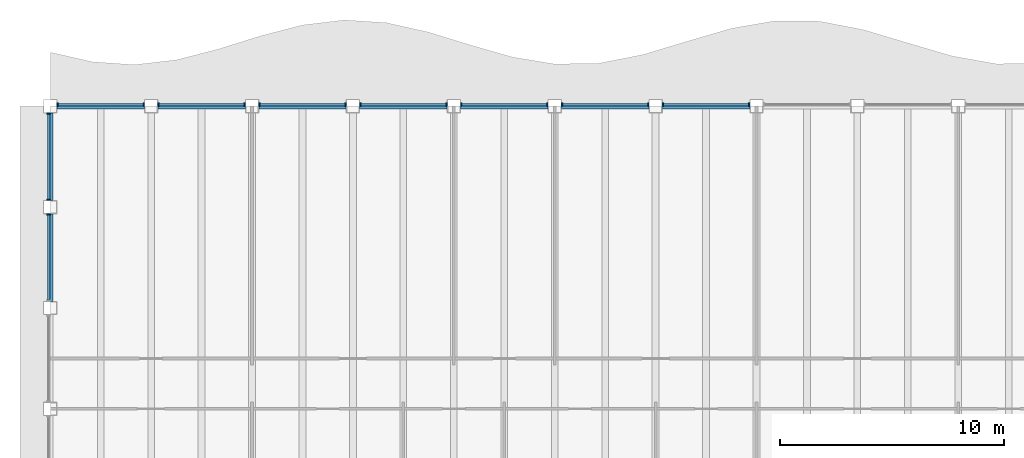
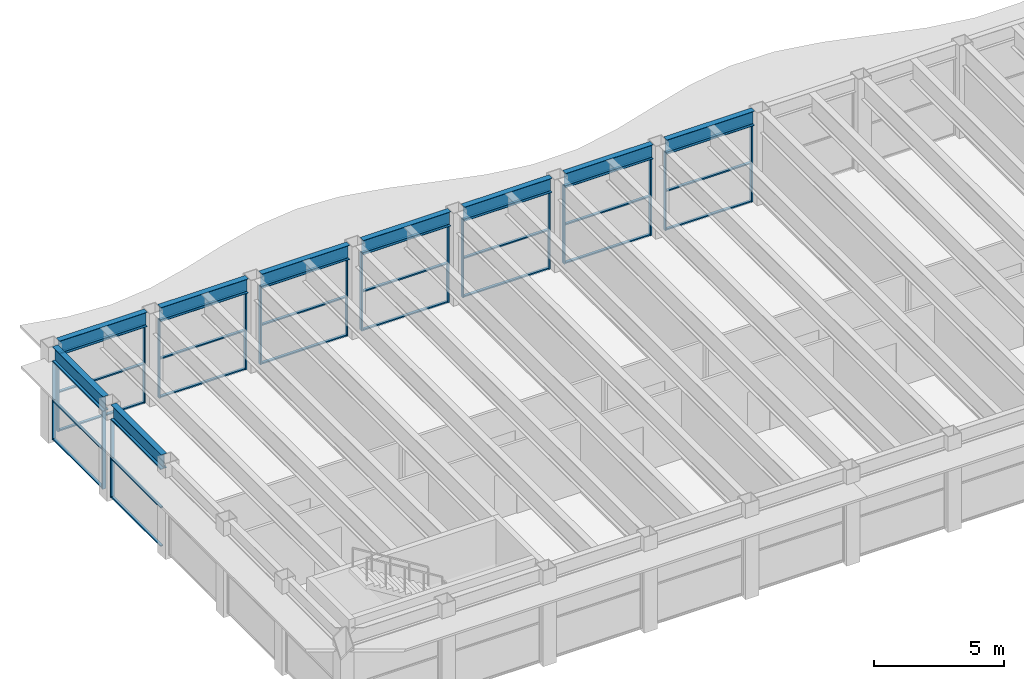
# One storey, part 4 of 14: 44 members, 9 beams, 9 elements without a shape of their own.
"""IFC4 building model written with IfcOpenShell, lengths in metres."""

from ifc_helpers import new_model, si_unit, direction, frame, origin, origin_2d, place, context, subcontext, project, spatial, rectangle, i_section, extrude, material, material_profile, profile_set, type_object, element, aggregate, save


model = new_model("IFC4")

# Units and contexts
model_context = context("Model", 3, precision=1e-05, world=origin(), true_north=direction((0.0, 1.0)))
body_context = subcontext(model_context, "Body", "Model", "MODEL_VIEW")
ifc_project = project(units=[si_unit("LENGTHUNIT", "METRE"), si_unit("AREAUNIT", "SQUARE_METRE"), si_unit("VOLUMEUNIT", "CUBIC_METRE"), si_unit("PLANEANGLEUNIT", "RADIAN"), si_unit("MASSUNIT", "GRAM", prefix="KILO")], contexts=[model_context])

# Site, building, storey
site_placement = place(None, origin())
site = spatial("IfcSite", under=ifc_project, at=site_placement, CompositionType="ELEMENT")
building_placement = place(site_placement, origin())
building = spatial("IfcBuilding", under=site, at=building_placement, Name="Sennacour Bend Tower", CompositionType="ELEMENT")
storey_placement = place(building_placement, frame((0.0, 0.0, 332.0)))
storey = spatial("IfcBuildingStorey", under=building, at=storey_placement, Name="L76", CompositionType="ELEMENT", Elevation=332.0)

# Curtain wall, members
ifc_material_1 = material(Name="Bronze anodised aluminium curtain wall with clear glass", Category="aluminium")
curtain_wall_type = type_object("IfcCurtainWallType", Name="CURTAIN WALL EXEC", PredefinedType="NOTDEFINED", material=ifc_material_1)
curtain_wall_1_placement = place(storey_placement, origin())
curtain_wall_1 = element("IfcCurtainWall", 1, at=curtain_wall_1_placement, inside=storey, type_object=curtain_wall_type, Name="Executive floor glass wall L76", PredefinedType="NOTDEFINED")
ifc_material_2 = material(Name="Aluminium 6063-T6", Category="aluminium")
ifc_material_profile_1 = material_profile(ifc_material_2, rectangle(XDim=0.14990234375, YDim=0.06005859375, at=origin_2d()), Name="Aluminium 6063-T6", Category="aluminium")
ifc_profile_set_1 = profile_set([ifc_material_profile_1], Name="Aluminium 6063-T6")
member_type_1 = type_object("IfcMemberType", Name="CW-MULLION-150X60", PredefinedType="MULLION", material=ifc_profile_set_1)
member_1_placement = place(storey_placement, frame((31.169921875, 22.574951171875, 0.0), z_axis=(0.0, 0.0, 1.0), x_axis=(0.0, -1.0, 0.0)))
member_1 = element("IfcMember", 2, at=member_1_placement, type_object=member_type_1, Name="GW3 curtain wall mullion 1", PredefinedType="MULLION", context=body_context, shape_type="SweptSolid", body=[
    extrude(rectangle(XDim=0.14990234375, YDim=0.06005859375, at=origin_2d()), origin(), (0.0, 0.0, 1.0), 3.672119140625),
])
member_2_placement = place(storey_placement, frame((27.330078125, 22.574951171875, 0.0), z_axis=(0.0, 0.0, 1.0), x_axis=(0.0, -1.0, 0.0)))
member_2 = element("IfcMember", 3, at=member_2_placement, type_object=member_type_1, Name="GW3 curtain wall mullion 2", PredefinedType="MULLION", context=body_context, shape_type="SweptSolid", body=[
    extrude(rectangle(XDim=0.14990234375, YDim=0.06005859375, at=origin_2d()), origin(), (0.0, 0.0, 1.0), 3.672119140625),
])

curtain_wall_2_placement = place(storey_placement, origin())
curtain_wall_2 = element("IfcCurtainWall", 4, at=curtain_wall_2_placement, inside=storey, type_object=curtain_wall_type, Name="Executive floor glass wall L76", PredefinedType="NOTDEFINED")
member_3_placement = place(storey_placement, frame((26.669921875, 22.574951171875, 0.0), z_axis=(0.0, 0.0, 1.0), x_axis=(0.0, -1.0, 0.0)))
member_3 = element("IfcMember", 5, at=member_3_placement, type_object=member_type_1, Name="GW3 curtain wall mullion 1", PredefinedType="MULLION", context=body_context, shape_type="SweptSolid", body=[
    extrude(rectangle(XDim=0.14990234375, YDim=0.06005859375, at=origin_2d()), origin(), (0.0, 0.0, 1.0), 3.672119140625),
])
member_4_placement = place(storey_placement, frame((22.830078125, 22.574951171875, 0.0), z_axis=(0.0, 0.0, 1.0), x_axis=(0.0, -1.0, 0.0)))
member_4 = element("IfcMember", 6, at=member_4_placement, type_object=member_type_1, Name="GW3 curtain wall mullion 2", PredefinedType="MULLION", context=body_context, shape_type="SweptSolid", body=[
    extrude(rectangle(XDim=0.14990234375, YDim=0.06005859375, at=origin_2d()), origin(), (0.0, 0.0, 1.0), 3.672119140625),
])

curtain_wall_3_placement = place(storey_placement, origin())
curtain_wall_3 = element("IfcCurtainWall", 7, at=curtain_wall_3_placement, inside=storey, type_object=curtain_wall_type, Name="Executive floor glass wall L76", PredefinedType="NOTDEFINED")
member_5_placement = place(storey_placement, frame((22.169921875, 22.574951171875, 0.0), z_axis=(0.0, 0.0, 1.0), x_axis=(0.0, -1.0, 0.0)))
member_5 = element("IfcMember", 8, at=member_5_placement, type_object=member_type_1, Name="GW3 curtain wall mullion 1", PredefinedType="MULLION", context=body_context, shape_type="SweptSolid", body=[
    extrude(rectangle(XDim=0.14990234375, YDim=0.06005859375, at=origin_2d()), origin(), (0.0, 0.0, 1.0), 3.672119140625),
])
member_6_placement = place(storey_placement, frame((18.330078125, 22.574951171875, 0.0), z_axis=(0.0, 0.0, 1.0), x_axis=(0.0, -1.0, 0.0)))
member_6 = element("IfcMember", 9, at=member_6_placement, type_object=member_type_1, Name="GW3 curtain wall mullion 2", PredefinedType="MULLION", context=body_context, shape_type="SweptSolid", body=[
    extrude(rectangle(XDim=0.14990234375, YDim=0.06005859375, at=origin_2d()), origin(), (0.0, 0.0, 1.0), 3.672119140625),
])

curtain_wall_4_placement = place(storey_placement, origin())
curtain_wall_4 = element("IfcCurtainWall", 10, at=curtain_wall_4_placement, inside=storey, type_object=curtain_wall_type, Name="Executive floor glass wall L76", PredefinedType="NOTDEFINED")
member_7_placement = place(storey_placement, frame((17.669921875, 22.574951171875, 0.0), z_axis=(0.0, 0.0, 1.0), x_axis=(0.0, -1.0, 0.0)))
member_7 = element("IfcMember", 11, at=member_7_placement, type_object=member_type_1, Name="GW3 curtain wall mullion 1", PredefinedType="MULLION", context=body_context, shape_type="SweptSolid", body=[
    extrude(rectangle(XDim=0.14990234375, YDim=0.06005859375, at=origin_2d()), origin(), (0.0, 0.0, 1.0), 3.672119140625),
])
member_8_placement = place(storey_placement, frame((13.830078125, 22.574951171875, 0.0), z_axis=(0.0, 0.0, 1.0), x_axis=(0.0, -1.0, 0.0)))
member_8 = element("IfcMember", 12, at=member_8_placement, type_object=member_type_1, Name="GW3 curtain wall mullion 2", PredefinedType="MULLION", context=body_context, shape_type="SweptSolid", body=[
    extrude(rectangle(XDim=0.14990234375, YDim=0.06005859375, at=origin_2d()), origin(), (0.0, 0.0, 1.0), 3.672119140625),
])

curtain_wall_5_placement = place(storey_placement, origin())
curtain_wall_5 = element("IfcCurtainWall", 13, at=curtain_wall_5_placement, inside=storey, type_object=curtain_wall_type, Name="Executive floor glass wall L76", PredefinedType="NOTDEFINED")
member_9_placement = place(storey_placement, frame((13.169921875, 22.574951171875, 0.0), z_axis=(0.0, 0.0, 1.0), x_axis=(0.0, -1.0, 0.0)))
member_9 = element("IfcMember", 14, at=member_9_placement, type_object=member_type_1, Name="GW3 curtain wall mullion 1", PredefinedType="MULLION", context=body_context, shape_type="SweptSolid", body=[
    extrude(rectangle(XDim=0.14990234375, YDim=0.06005859375, at=origin_2d()), origin(), (0.0, 0.0, 1.0), 3.672119140625),
])
member_10_placement = place(storey_placement, frame((9.330078125, 22.574951171875, 0.0), z_axis=(0.0, 0.0, 1.0), x_axis=(0.0, -1.0, 0.0)))
member_10 = element("IfcMember", 15, at=member_10_placement, type_object=member_type_1, Name="GW3 curtain wall mullion 2", PredefinedType="MULLION", context=body_context, shape_type="SweptSolid", body=[
    extrude(rectangle(XDim=0.14990234375, YDim=0.06005859375, at=origin_2d()), origin(), (0.0, 0.0, 1.0), 3.672119140625),
])

curtain_wall_6_placement = place(storey_placement, origin())
curtain_wall_6 = element("IfcCurtainWall", 16, at=curtain_wall_6_placement, inside=storey, type_object=curtain_wall_type, Name="Executive floor glass wall L76", PredefinedType="NOTDEFINED")
member_11_placement = place(storey_placement, frame((8.669921875, 22.574951171875, 0.0), z_axis=(0.0, 0.0, 1.0), x_axis=(0.0, -1.0, 0.0)))
member_11 = element("IfcMember", 17, at=member_11_placement, type_object=member_type_1, Name="GW3 curtain wall mullion 1", PredefinedType="MULLION", context=body_context, shape_type="SweptSolid", body=[
    extrude(rectangle(XDim=0.14990234375, YDim=0.06005859375, at=origin_2d()), origin(), (0.0, 0.0, 1.0), 3.672119140625),
])
member_12_placement = place(storey_placement, frame((4.830078125, 22.574951171875, 0.0), z_axis=(0.0, 0.0, 1.0), x_axis=(0.0, -1.0, 0.0)))
member_12 = element("IfcMember", 18, at=member_12_placement, type_object=member_type_1, Name="GW3 curtain wall mullion 2", PredefinedType="MULLION", context=body_context, shape_type="SweptSolid", body=[
    extrude(rectangle(XDim=0.14990234375, YDim=0.06005859375, at=origin_2d()), origin(), (0.0, 0.0, 1.0), 3.672119140625),
])

curtain_wall_7_placement = place(storey_placement, origin())
curtain_wall_7 = element("IfcCurtainWall", 19, at=curtain_wall_7_placement, inside=storey, type_object=curtain_wall_type, Name="Executive floor glass wall L76", PredefinedType="NOTDEFINED")
member_13_placement = place(storey_placement, frame((4.169921875, 22.574951171875, 0.0), z_axis=(0.0, 0.0, 1.0), x_axis=(0.0, -1.0, 0.0)))
member_13 = element("IfcMember", 20, at=member_13_placement, type_object=member_type_1, Name="GW3 curtain wall mullion 1", PredefinedType="MULLION", context=body_context, shape_type="SweptSolid", body=[
    extrude(rectangle(XDim=0.14990234375, YDim=0.06005859375, at=origin_2d()), origin(), (0.0, 0.0, 1.0), 3.672119140625),
])
member_14_placement = place(storey_placement, frame((0.330078125, 22.574951171875, 0.0), z_axis=(0.0, 0.0, 1.0), x_axis=(0.0, -1.0, 0.0)))
member_14 = element("IfcMember", 21, at=member_14_placement, type_object=member_type_1, Name="GW3 curtain wall mullion 2", PredefinedType="MULLION", context=body_context, shape_type="SweptSolid", body=[
    extrude(rectangle(XDim=0.14990234375, YDim=0.06005859375, at=origin_2d()), origin(), (0.0, 0.0, 1.0), 3.672119140625),
])

curtain_wall_8_placement = place(storey_placement, origin())
curtain_wall_8 = element("IfcCurtainWall", 22, at=curtain_wall_8_placement, inside=storey, type_object=curtain_wall_type, Name="Executive floor glass wall L76", PredefinedType="NOTDEFINED")
member_15_placement = place(storey_placement, frame((-0.074951171875, 22.169921875, 0.0), z_axis=(0.0, 0.0, 1.0), x_axis=(1.0, 0.0, 0.0)))
member_15 = element("IfcMember", 23, at=member_15_placement, type_object=member_type_1, Name="GW3 curtain wall mullion 1", PredefinedType="MULLION", context=body_context, shape_type="SweptSolid", body=[
    extrude(rectangle(XDim=0.14990234375, YDim=0.06005859375, at=origin_2d()), origin(), (0.0, 0.0, 1.0), 3.672119140625),
])
member_16_placement = place(storey_placement, frame((-0.074951171875, 18.330078125, 0.0), z_axis=(0.0, 0.0, 1.0), x_axis=(1.0, 0.0, 0.0)))
member_16 = element("IfcMember", 24, at=member_16_placement, type_object=member_type_1, Name="GW3 curtain wall mullion 2", PredefinedType="MULLION", context=body_context, shape_type="SweptSolid", body=[
    extrude(rectangle(XDim=0.14990234375, YDim=0.06005859375, at=origin_2d()), origin(), (0.0, 0.0, 1.0), 3.672119140625),
])

# Curtain wall, member
curtain_wall_9_placement = place(storey_placement, origin())
curtain_wall_9 = element("IfcCurtainWall", 25, at=curtain_wall_9_placement, inside=storey, type_object=curtain_wall_type, Name="Executive floor glass wall L76", PredefinedType="NOTDEFINED")
member_17_placement = place(storey_placement, frame((-0.074951171875, 17.669921875, 0.0), z_axis=(0.0, 0.0, 1.0), x_axis=(1.0, 0.0, 0.0)))
member_17 = element("IfcMember", 26, at=member_17_placement, type_object=member_type_1, Name="GW3 curtain wall mullion 1", PredefinedType="MULLION", context=body_context, shape_type="SweptSolid", body=[
    extrude(rectangle(XDim=0.14990234375, YDim=0.06005859375, at=origin_2d()), origin(), (0.0, 0.0, 1.0), 3.672119140625),
])

# Member
ifc_material_profile_2 = material_profile(ifc_material_2, rectangle(XDim=0.1201171875, YDim=0.06005859375, at=origin_2d()), Name="Aluminium 6063-T6", Category="aluminium")
ifc_profile_set_2 = profile_set([ifc_material_profile_2], Name="Aluminium 6063-T6")
member_type_2 = type_object("IfcMemberType", Name="CW-TRANSOM-120X60", PredefinedType="USERDEFINED", material=ifc_profile_set_2)
member_18_placement = place(storey_placement, frame((31.139892578125, 22.574951171875, 0.030029296875), z_axis=(-1.0, 0.0, 0.0), x_axis=(0.0, -1.0, 0.0)))
member_18 = element("IfcMember", 27, at=member_18_placement, type_object=member_type_2, Name="GW3 curtain wall transom 1.1", ObjectType="TRANSOM", PredefinedType="USERDEFINED", context=body_context, shape_type="SweptSolid", body=[
    extrude(rectangle(XDim=0.1201171875, YDim=0.06005859375, at=origin_2d()), origin(), (0.0, 0.0, 1.0), 3.77978515625),
])

member_19_placement = place(storey_placement, frame((31.139892578125, 22.574951171875, 1.8359375), z_axis=(-1.0, 0.0, 0.0), x_axis=(0.0, -1.0, 0.0)))
member_19 = element("IfcMember", 28, at=member_19_placement, type_object=member_type_2, Name="GW3 curtain wall transom 1.2", ObjectType="TRANSOM", PredefinedType="USERDEFINED", context=body_context, shape_type="SweptSolid", body=[
    extrude(rectangle(XDim=0.1201171875, YDim=0.06005859375, at=origin_2d()), origin(), (0.0, 0.0, 1.0), 3.77978515625),
])

member_20_placement = place(storey_placement, frame((31.139892578125, 22.574951171875, 3.64208984375), z_axis=(-1.0, 0.0, 0.0), x_axis=(0.0, -1.0, 0.0)))
member_20 = element("IfcMember", 29, at=member_20_placement, type_object=member_type_2, Name="GW3 curtain wall transom 1.3", ObjectType="TRANSOM", PredefinedType="USERDEFINED", context=body_context, shape_type="SweptSolid", body=[
    extrude(rectangle(XDim=0.1201171875, YDim=0.06005859375, at=origin_2d()), origin(), (0.0, 0.0, 1.0), 3.77978515625),
])

aggregate(curtain_wall_1, [member_1, member_2, member_18, member_19, member_20])

member_21_placement = place(storey_placement, frame((26.639892578125, 22.574951171875, 0.030029296875), z_axis=(-1.0, 0.0, 0.0), x_axis=(0.0, -1.0, 0.0)))
member_21 = element("IfcMember", 30, at=member_21_placement, type_object=member_type_2, Name="GW3 curtain wall transom 1.1", ObjectType="TRANSOM", PredefinedType="USERDEFINED", context=body_context, shape_type="SweptSolid", body=[
    extrude(rectangle(XDim=0.1201171875, YDim=0.06005859375, at=origin_2d()), origin(), (0.0, 0.0, 1.0), 3.77978515625),
])

member_22_placement = place(storey_placement, frame((26.639892578125, 22.574951171875, 1.8359375), z_axis=(-1.0, 0.0, 0.0), x_axis=(0.0, -1.0, 0.0)))
member_22 = element("IfcMember", 31, at=member_22_placement, type_object=member_type_2, Name="GW3 curtain wall transom 1.2", ObjectType="TRANSOM", PredefinedType="USERDEFINED", context=body_context, shape_type="SweptSolid", body=[
    extrude(rectangle(XDim=0.1201171875, YDim=0.06005859375, at=origin_2d()), origin(), (0.0, 0.0, 1.0), 3.77978515625),
])

member_23_placement = place(storey_placement, frame((26.639892578125, 22.574951171875, 3.64208984375), z_axis=(-1.0, 0.0, 0.0), x_axis=(0.0, -1.0, 0.0)))
member_23 = element("IfcMember", 32, at=member_23_placement, type_object=member_type_2, Name="GW3 curtain wall transom 1.3", ObjectType="TRANSOM", PredefinedType="USERDEFINED", context=body_context, shape_type="SweptSolid", body=[
    extrude(rectangle(XDim=0.1201171875, YDim=0.06005859375, at=origin_2d()), origin(), (0.0, 0.0, 1.0), 3.77978515625),
])

aggregate(curtain_wall_2, [member_3, member_4, member_21, member_22, member_23])

member_24_placement = place(storey_placement, frame((22.139892578125, 22.574951171875, 0.030029296875), z_axis=(-1.0, 0.0, 0.0), x_axis=(0.0, -1.0, 0.0)))
member_24 = element("IfcMember", 33, at=member_24_placement, type_object=member_type_2, Name="GW3 curtain wall transom 1.1", ObjectType="TRANSOM", PredefinedType="USERDEFINED", context=body_context, shape_type="SweptSolid", body=[
    extrude(rectangle(XDim=0.1201171875, YDim=0.06005859375, at=origin_2d()), origin(), (0.0, 0.0, 1.0), 3.77978515625),
])

member_25_placement = place(storey_placement, frame((22.139892578125, 22.574951171875, 1.8359375), z_axis=(-1.0, 0.0, 0.0), x_axis=(0.0, -1.0, 0.0)))
member_25 = element("IfcMember", 34, at=member_25_placement, type_object=member_type_2, Name="GW3 curtain wall transom 1.2", ObjectType="TRANSOM", PredefinedType="USERDEFINED", context=body_context, shape_type="SweptSolid", body=[
    extrude(rectangle(XDim=0.1201171875, YDim=0.06005859375, at=origin_2d()), origin(), (0.0, 0.0, 1.0), 3.77978515625),
])

member_26_placement = place(storey_placement, frame((22.139892578125, 22.574951171875, 3.64208984375), z_axis=(-1.0, 0.0, 0.0), x_axis=(0.0, -1.0, 0.0)))
member_26 = element("IfcMember", 35, at=member_26_placement, type_object=member_type_2, Name="GW3 curtain wall transom 1.3", ObjectType="TRANSOM", PredefinedType="USERDEFINED", context=body_context, shape_type="SweptSolid", body=[
    extrude(rectangle(XDim=0.1201171875, YDim=0.06005859375, at=origin_2d()), origin(), (0.0, 0.0, 1.0), 3.77978515625),
])

aggregate(curtain_wall_3, [member_5, member_6, member_24, member_25, member_26])

member_27_placement = place(storey_placement, frame((17.639892578125, 22.574951171875, 0.030029296875), z_axis=(-1.0, 0.0, 0.0), x_axis=(0.0, -1.0, 0.0)))
member_27 = element("IfcMember", 36, at=member_27_placement, type_object=member_type_2, Name="GW3 curtain wall transom 1.1", ObjectType="TRANSOM", PredefinedType="USERDEFINED", context=body_context, shape_type="SweptSolid", body=[
    extrude(rectangle(XDim=0.1201171875, YDim=0.06005859375, at=origin_2d()), origin(), (0.0, 0.0, 1.0), 3.77978515625),
])

member_28_placement = place(storey_placement, frame((17.639892578125, 22.574951171875, 1.8359375), z_axis=(-1.0, 0.0, 0.0), x_axis=(0.0, -1.0, 0.0)))
member_28 = element("IfcMember", 37, at=member_28_placement, type_object=member_type_2, Name="GW3 curtain wall transom 1.2", ObjectType="TRANSOM", PredefinedType="USERDEFINED", context=body_context, shape_type="SweptSolid", body=[
    extrude(rectangle(XDim=0.1201171875, YDim=0.06005859375, at=origin_2d()), origin(), (0.0, 0.0, 1.0), 3.77978515625),
])

member_29_placement = place(storey_placement, frame((17.639892578125, 22.574951171875, 3.64208984375), z_axis=(-1.0, 0.0, 0.0), x_axis=(0.0, -1.0, 0.0)))
member_29 = element("IfcMember", 38, at=member_29_placement, type_object=member_type_2, Name="GW3 curtain wall transom 1.3", ObjectType="TRANSOM", PredefinedType="USERDEFINED", context=body_context, shape_type="SweptSolid", body=[
    extrude(rectangle(XDim=0.1201171875, YDim=0.06005859375, at=origin_2d()), origin(), (0.0, 0.0, 1.0), 3.77978515625),
])

aggregate(curtain_wall_4, [member_7, member_8, member_27, member_28, member_29])

member_30_placement = place(storey_placement, frame((13.139892578125, 22.574951171875, 0.030029296875), z_axis=(-1.0, 0.0, 0.0), x_axis=(0.0, -1.0, 0.0)))
member_30 = element("IfcMember", 39, at=member_30_placement, type_object=member_type_2, Name="GW3 curtain wall transom 1.1", ObjectType="TRANSOM", PredefinedType="USERDEFINED", context=body_context, shape_type="SweptSolid", body=[
    extrude(rectangle(XDim=0.1201171875, YDim=0.06005859375, at=origin_2d()), origin(), (0.0, 0.0, 1.0), 3.77978515625),
])

member_31_placement = place(storey_placement, frame((13.139892578125, 22.574951171875, 1.8359375), z_axis=(-1.0, 0.0, 0.0), x_axis=(0.0, -1.0, 0.0)))
member_31 = element("IfcMember", 40, at=member_31_placement, type_object=member_type_2, Name="GW3 curtain wall transom 1.2", ObjectType="TRANSOM", PredefinedType="USERDEFINED", context=body_context, shape_type="SweptSolid", body=[
    extrude(rectangle(XDim=0.1201171875, YDim=0.06005859375, at=origin_2d()), origin(), (0.0, 0.0, 1.0), 3.77978515625),
])

member_32_placement = place(storey_placement, frame((13.139892578125, 22.574951171875, 3.64208984375), z_axis=(-1.0, 0.0, 0.0), x_axis=(0.0, -1.0, 0.0)))
member_32 = element("IfcMember", 41, at=member_32_placement, type_object=member_type_2, Name="GW3 curtain wall transom 1.3", ObjectType="TRANSOM", PredefinedType="USERDEFINED", context=body_context, shape_type="SweptSolid", body=[
    extrude(rectangle(XDim=0.1201171875, YDim=0.06005859375, at=origin_2d()), origin(), (0.0, 0.0, 1.0), 3.77978515625),
])

aggregate(curtain_wall_5, [member_9, member_10, member_30, member_31, member_32])

member_33_placement = place(storey_placement, frame((8.639892578125, 22.574951171875, 0.030029296875), z_axis=(-1.0, 0.0, 0.0), x_axis=(0.0, -1.0, 0.0)))
member_33 = element("IfcMember", 42, at=member_33_placement, type_object=member_type_2, Name="GW3 curtain wall transom 1.1", ObjectType="TRANSOM", PredefinedType="USERDEFINED", context=body_context, shape_type="SweptSolid", body=[
    extrude(rectangle(XDim=0.1201171875, YDim=0.06005859375, at=origin_2d()), origin(), (0.0, 0.0, 1.0), 3.77978515625),
])

member_34_placement = place(storey_placement, frame((8.639892578125, 22.574951171875, 1.8359375), z_axis=(-1.0, 0.0, 0.0), x_axis=(0.0, -1.0, 0.0)))
member_34 = element("IfcMember", 43, at=member_34_placement, type_object=member_type_2, Name="GW3 curtain wall transom 1.2", ObjectType="TRANSOM", PredefinedType="USERDEFINED", context=body_context, shape_type="SweptSolid", body=[
    extrude(rectangle(XDim=0.1201171875, YDim=0.06005859375, at=origin_2d()), origin(), (0.0, 0.0, 1.0), 3.77978515625),
])

member_35_placement = place(storey_placement, frame((8.639892578125, 22.574951171875, 3.64208984375), z_axis=(-1.0, 0.0, 0.0), x_axis=(0.0, -1.0, 0.0)))
member_35 = element("IfcMember", 44, at=member_35_placement, type_object=member_type_2, Name="GW3 curtain wall transom 1.3", ObjectType="TRANSOM", PredefinedType="USERDEFINED", context=body_context, shape_type="SweptSolid", body=[
    extrude(rectangle(XDim=0.1201171875, YDim=0.06005859375, at=origin_2d()), origin(), (0.0, 0.0, 1.0), 3.77978515625),
])

aggregate(curtain_wall_6, [member_11, member_12, member_33, member_34, member_35])

member_36_placement = place(storey_placement, frame((4.139892578125, 22.574951171875, 0.030029296875), z_axis=(-1.0, 0.0, 0.0), x_axis=(0.0, -1.0, 0.0)))
member_36 = element("IfcMember", 45, at=member_36_placement, type_object=member_type_2, Name="GW3 curtain wall transom 1.1", ObjectType="TRANSOM", PredefinedType="USERDEFINED", context=body_context, shape_type="SweptSolid", body=[
    extrude(rectangle(XDim=0.1201171875, YDim=0.06005859375, at=origin_2d()), origin(), (0.0, 0.0, 1.0), 3.77978515625),
])

member_37_placement = place(storey_placement, frame((4.139892578125, 22.574951171875, 1.8359375), z_axis=(-1.0, 0.0, 0.0), x_axis=(0.0, -1.0, 0.0)))
member_37 = element("IfcMember", 46, at=member_37_placement, type_object=member_type_2, Name="GW3 curtain wall transom 1.2", ObjectType="TRANSOM", PredefinedType="USERDEFINED", context=body_context, shape_type="SweptSolid", body=[
    extrude(rectangle(XDim=0.1201171875, YDim=0.06005859375, at=origin_2d()), origin(), (0.0, 0.0, 1.0), 3.77978515625),
])

member_38_placement = place(storey_placement, frame((4.139892578125, 22.574951171875, 3.64208984375), z_axis=(-1.0, 0.0, 0.0), x_axis=(0.0, -1.0, 0.0)))
member_38 = element("IfcMember", 47, at=member_38_placement, type_object=member_type_2, Name="GW3 curtain wall transom 1.3", ObjectType="TRANSOM", PredefinedType="USERDEFINED", context=body_context, shape_type="SweptSolid", body=[
    extrude(rectangle(XDim=0.1201171875, YDim=0.06005859375, at=origin_2d()), origin(), (0.0, 0.0, 1.0), 3.77978515625),
])

aggregate(curtain_wall_7, [member_13, member_14, member_36, member_37, member_38])

member_39_placement = place(storey_placement, frame((-0.074951171875, 22.139892578125, 0.030029296875), z_axis=(0.0, -1.0, 0.0), x_axis=(1.0, 0.0, 0.0)))
member_39 = element("IfcMember", 48, at=member_39_placement, type_object=member_type_2, Name="GW3 curtain wall transom 1.1", ObjectType="TRANSOM", PredefinedType="USERDEFINED", context=body_context, shape_type="SweptSolid", body=[
    extrude(rectangle(XDim=0.1201171875, YDim=0.06005859375, at=origin_2d()), origin(), (0.0, 0.0, 1.0), 3.77978515625),
])

member_40_placement = place(storey_placement, frame((-0.074951171875, 22.139892578125, 1.8359375), z_axis=(0.0, -1.0, 0.0), x_axis=(1.0, 0.0, 0.0)))
member_40 = element("IfcMember", 49, at=member_40_placement, type_object=member_type_2, Name="GW3 curtain wall transom 1.2", ObjectType="TRANSOM", PredefinedType="USERDEFINED", context=body_context, shape_type="SweptSolid", body=[
    extrude(rectangle(XDim=0.1201171875, YDim=0.06005859375, at=origin_2d()), origin(), (0.0, 0.0, 1.0), 3.77978515625),
])

member_41_placement = place(storey_placement, frame((-0.074951171875, 22.139892578125, 3.64208984375), z_axis=(0.0, -1.0, 0.0), x_axis=(1.0, 0.0, 0.0)))
member_41 = element("IfcMember", 50, at=member_41_placement, type_object=member_type_2, Name="GW3 curtain wall transom 1.3", ObjectType="TRANSOM", PredefinedType="USERDEFINED", context=body_context, shape_type="SweptSolid", body=[
    extrude(rectangle(XDim=0.1201171875, YDim=0.06005859375, at=origin_2d()), origin(), (0.0, 0.0, 1.0), 3.77978515625),
])

aggregate(curtain_wall_8, [member_15, member_16, member_39, member_40, member_41])

member_42_placement = place(storey_placement, frame((-0.074951171875, 17.639892578125, 0.030029296875), z_axis=(0.0, -1.0, 0.0), x_axis=(1.0, 0.0, 0.0)))
member_42 = element("IfcMember", 51, at=member_42_placement, type_object=member_type_2, Name="GW3 curtain wall transom 1.1", ObjectType="TRANSOM", PredefinedType="USERDEFINED", context=body_context, shape_type="SweptSolid", body=[
    extrude(rectangle(XDim=0.1201171875, YDim=0.06005859375, at=origin_2d()), origin(), (0.0, 0.0, 1.0), 3.77978515625),
])

member_43_placement = place(storey_placement, frame((-0.074951171875, 17.639892578125, 1.8359375), z_axis=(0.0, -1.0, 0.0), x_axis=(1.0, 0.0, 0.0)))
member_43 = element("IfcMember", 52, at=member_43_placement, type_object=member_type_2, Name="GW3 curtain wall transom 1.2", ObjectType="TRANSOM", PredefinedType="USERDEFINED", context=body_context, shape_type="SweptSolid", body=[
    extrude(rectangle(XDim=0.1201171875, YDim=0.06005859375, at=origin_2d()), origin(), (0.0, 0.0, 1.0), 3.77978515625),
])

member_44_placement = place(storey_placement, frame((-0.074951171875, 17.639892578125, 3.64208984375), z_axis=(0.0, -1.0, 0.0), x_axis=(1.0, 0.0, 0.0)))
member_44 = element("IfcMember", 53, at=member_44_placement, type_object=member_type_2, Name="GW3 curtain wall transom 1.3", ObjectType="TRANSOM", PredefinedType="USERDEFINED", context=body_context, shape_type="SweptSolid", body=[
    extrude(rectangle(XDim=0.1201171875, YDim=0.06005859375, at=origin_2d()), origin(), (0.0, 0.0, 1.0), 3.77978515625),
])

aggregate(curtain_wall_9, [member_17, member_42, member_43, member_44])

# Beams
ifc_material_3 = material(Name="Steel ASTM A992 Grade 50", Category="steel")
ifc_material_profile_3 = material_profile(ifc_material_3, i_section(OverallWidth=0.25390625, OverallDepth=0.677978515625, WebThickness=0.01171875, FlangeThickness=0.016357421875, FilletRadius=0.01513671875, at=origin_2d()), Name="Steel ASTM A992 Grade 50", Category="steel")
ifc_profile_set_3 = profile_set([ifc_material_profile_3], Name="Steel ASTM A992 Grade 50")
beam_type = type_object("IfcBeamType", Name="Spandrel beam W690X125", PredefinedType="SPANDREL", material=ifc_profile_set_3)
for number, where, z_axis, x_axis, name in (
    (54, (0.0, 13.800048828125, 4.010986328125), (0.0, 1.0, 0.0), (-1.0, 0.0, 0.0), "Spandrel beam SP7 L77-004"),
    (55, (0.0, 18.300048828125, 4.010986328125), (0.0, 1.0, 0.0), (-1.0, 0.0, 0.0), "Spandrel beam SP7 L77-005"),
    (56, (0.300048828125, 22.5, 4.010986328125), (1.0, 0.0, 0.0), (0.0, 1.0, 0.0), "Spandrel beam SP7 L77-006"),
    (57, (4.800048828125, 22.5, 4.010986328125), (1.0, 0.0, 0.0), (0.0, 1.0, 0.0), "Spandrel beam SP7 L77-007"),
    (58, (9.300048828125, 22.5, 4.010986328125), (1.0, 0.0, 0.0), (0.0, 1.0, 0.0), "Spandrel beam SP7 L77-008"),
    (59, (13.800048828125, 22.5, 4.010986328125), (1.0, 0.0, 0.0), (0.0, 1.0, 0.0), "Spandrel beam SP7 L77-009"),
    (60, (18.300048828125, 22.5, 4.010986328125), (1.0, 0.0, 0.0), (0.0, 1.0, 0.0), "Spandrel beam SP7 L77-010"),
    (61, (22.800048828125, 22.5, 4.010986328125), (1.0, 0.0, 0.0), (0.0, 1.0, 0.0), "Spandrel beam SP7 L77-011"),
    (62, (27.300048828125, 22.5, 4.010986328125), (1.0, 0.0, 0.0), (0.0, 1.0, 0.0), "Spandrel beam SP7 L77-012"),
):
    element("IfcBeam", number, at=place(storey_placement, frame(where, z_axis=z_axis, x_axis=x_axis)), inside=storey, type_object=beam_type, Name=name, PredefinedType="SPANDREL", context=body_context, shape_type="SweptSolid", body=[
        extrude(i_section(OverallWidth=0.25390625, OverallDepth=0.677978515625, WebThickness=0.01171875, FlangeThickness=0.016357421875, FilletRadius=0.01513671875, at=origin_2d()), origin(), (0.0, 0.0, 1.0), 3.89990234375),
    ])

save(model, "model.ifc")
